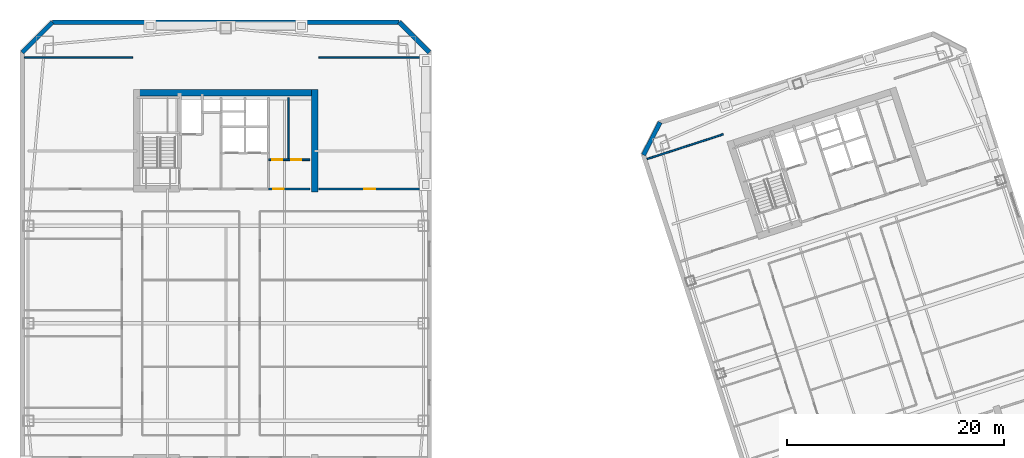
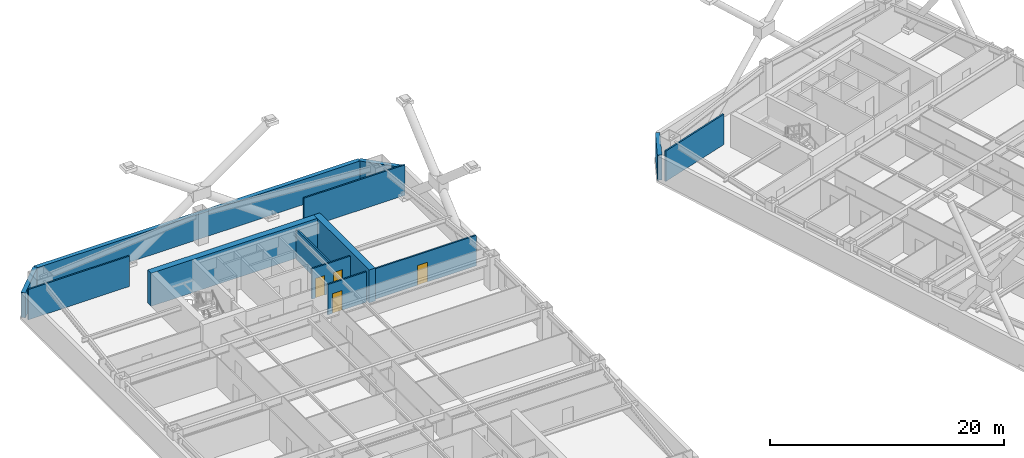
# One storey, part 8 of 14: 13 walls, 4 doors, 4 openings.
"""IFC4 building model written with IfcOpenShell, lengths in metres."""

from ifc_helpers import new_model, si_unit, direction, frame, frame_2d, origin, place, context, subcontext, project, spatial, rectangle, extrude, material, layer, layer_set, type_object, element, fill, save


model = new_model("IFC4")

# Units and contexts
model_context = context("Model", 3, precision=1e-05, world=origin(), true_north=direction((0.0, 1.0)))
body_context = subcontext(model_context, "Body", "Model", "MODEL_VIEW")
ifc_project = project(units=[si_unit("LENGTHUNIT", "METRE"), si_unit("AREAUNIT", "SQUARE_METRE"), si_unit("VOLUMEUNIT", "CUBIC_METRE"), si_unit("PLANEANGLEUNIT", "RADIAN"), si_unit("MASSUNIT", "GRAM", prefix="KILO")], contexts=[model_context])

# Site, building, storey
site_placement = place(None, origin())
site = spatial("IfcSite", under=ifc_project, at=site_placement, CompositionType="ELEMENT")
building_placement = place(site_placement, origin())
building = spatial("IfcBuilding", under=site, at=building_placement, Name="Qiaolan Cultural Towers", CompositionType="ELEMENT")
storey_placement = place(building_placement, frame((0.0, 0.0, 149.5)))
storey = spatial("IfcBuildingStorey", under=building, at=storey_placement, Name="L39", CompositionType="ELEMENT", Elevation=149.5)

# Walls
ifc_material_1 = material(Name="Concrete C55", Category="concrete")
ifc_layer_1 = layer(ifc_material_1, 0.60009765625)
ifc_layer_set_1 = layer_set([ifc_layer_1], Name="Concrete C55")
wall_type_1 = type_object("IfcWallType", Name="WL-CORE-600", PredefinedType="SHEAR", material=ifc_layer_set_1)
wall_1_placement = place(storey_placement, frame((21.5, 55.280029296875, 0.0), z_axis=(0.0, 0.0, 1.0), x_axis=(1.0, 0.0, 0.0)))
element("IfcWall", 1, at=wall_1_placement, inside=storey, type_object=wall_type_1, Name="L39 T1-CN Outer Core Shear Wall", PredefinedType="SHEAR", context=body_context, shape_type="SweptSolid", body=[
    extrude(rectangle(XDim=17.0, YDim=0.60009765625, at=frame_2d((8.5, 0.0))), origin(), (0.0, 0.0, 1.0), 3.449951171875),
])
wall_2_placement = place(storey_placement, frame((38.199951171875, 46.10009765625, 0.0), z_axis=(0.0, 0.0, 1.0), x_axis=(0.0, 1.0, 0.0)))
element("IfcWall", 2, at=wall_2_placement, inside=storey, type_object=wall_type_1, Name="L39 T1-CN East Core Shear Wall", PredefinedType="SHEAR", context=body_context, shape_type="SweptSolid", body=[
    extrude(rectangle(XDim=9.47998046875, YDim=0.60009765625, at=frame_2d((4.739990234375, 0.0))), origin(), (0.0, 0.0, 1.0), 3.449951171875),
])
ifc_material_2 = material(Name="Precast Concrete C50 Honed Stone Pier", Category="masonry")
ifc_layer_2 = layer(ifc_material_2, 0.39990234375)
ifc_layer_set_2 = layer_set([ifc_layer_2], Name="Precast Concrete C50 Honed Stone Pier")
wall_type_2 = type_object("IfcWallType", Name="WL-EXT-PIER-400", PredefinedType="SOLIDWALL", material=ifc_layer_set_2)
wall_3_placement = place(storey_placement, frame((11.199951171875, 59.0, 0.0), z_axis=(0.0, 0.0, 1.0), x_axis=(0.707106781187, 0.707106781187, 0.0)))
element("IfcWall", 3, at=wall_3_placement, inside=storey, type_object=wall_type_2, Name="L39 West Tower Precast Pier Facade Wall F2", PredefinedType="SOLIDWALL", context=body_context, shape_type="SweptSolid", body=[
    extrude(rectangle(XDim=3.9599609375, YDim=0.39990234375, at=frame_2d((1.97998046875, 0.0))), origin(), (0.0, 0.0, 1.0), 2.610107421875),
])
wall_4_placement = place(storey_placement, frame((14.0, 61.800048828125, 0.0), z_axis=(0.0, 0.0, 1.0), x_axis=(1.0, 0.0, 0.0)))
element("IfcWall", 4, at=wall_4_placement, inside=storey, type_object=wall_type_2, Name="L39 West Tower Precast Pier Facade Wall F3", PredefinedType="SOLIDWALL", context=body_context, shape_type="SweptSolid", body=[
    extrude(rectangle(XDim=32.0, YDim=0.39990234375, at=frame_2d((16.0, 0.0))), origin(), (0.0, 0.0, 1.0), 2.610107421875),
])
wall_5_placement = place(storey_placement, frame((46.0, 61.800048828125, 0.0), z_axis=(0.0, 0.0, 1.0), x_axis=(0.707106781187, -0.707106781187, 0.0)))
element("IfcWall", 5, at=wall_5_placement, inside=storey, type_object=wall_type_2, Name="L39 West Tower Precast Pier Facade Wall F4", PredefinedType="SOLIDWALL", context=body_context, shape_type="SweptSolid", body=[
    extrude(rectangle(XDim=3.9599609375, YDim=0.39990234375, at=frame_2d((1.97998046875, 0.0))), origin(), (0.0, 0.0, 1.0), 2.610107421875),
])
wall_6_placement = place(storey_placement, frame((68.550537109375, 49.531982421875, 0.0), z_axis=(0.0, 0.0, 1.0), x_axis=(0.454019523198, 0.890991735402, 0.0)))
element("IfcWall", 6, at=wall_6_placement, inside=storey, type_object=wall_type_2, Name="L39 East Tower Precast Pier Facade Wall F2", PredefinedType="SOLIDWALL", context=body_context, shape_type="SweptSolid", body=[
    extrude(rectangle(XDim=3.39404296875, YDim=0.39990234375, at=frame_2d((1.697021484375, 0.0))), origin(), (0.0, 0.0, 1.0), 2.610107421875),
])

# Wall, opening, door
ifc_material_3 = material(Name="Autoclaved Aerated Concrete Block B06", Category="concrete")
ifc_layer_3 = layer(ifc_material_3, 0.14990234375)
ifc_layer_set_3 = layer_set([ifc_layer_3], Name="Autoclaved Aerated Concrete Block B06")
wall_type_3 = type_object("IfcWallType", Name="WL-PART-150", PredefinedType="PARTITIONING", material=ifc_layer_set_3)
wall_7_placement = place(storey_placement, frame((33.949951171875, 46.39990234375, 0.0), z_axis=(0.0, 0.0, 1.0), x_axis=(1.0, 0.0, 0.0)))
wall_7 = element("IfcWall", 7, at=wall_7_placement, inside=storey, type_object=wall_type_3, Name="L39 T1-CN Sanitary Core Front Wall", PredefinedType="PARTITIONING", context=body_context, shape_type="SweptSolid", body=[
    extrude(rectangle(XDim=3.800048828125, YDim=0.14990234375, at=frame_2d((1.89990234375, 0.0))), origin(), (0.0, 0.0, 1.0), 3.175048828125),
])
opening_1_placement = place(wall_7_placement, frame((0.449951171875, 0.0, 0.0)))
opening_1 = element("IfcOpeningElement", 8, at=opening_1_placement, cuts=wall_7, Name="Opening ID-05", PredefinedType="OPENING", context=body_context, shape_type="SweptSolid", body=[
    extrude(rectangle(XDim=0.949951171875, YDim=2.050048828125, at=frame_2d((0.47509765625, 1.02490234375))), frame((0.0, 0.0849609375, 0.0), z_axis=(0.0, -1.0, 0.0), x_axis=(1.0, 0.0, 0.0)), (0.0, 0.0, 1.0), 0.169921875),
])
ifc_material_4 = material(Name="Fire-Rated Laminate Accessible Core Door", Category="timber")
door_type_1 = type_object("IfcDoorType", Name="DR-INT-950", OperationType="NOTDEFINED", PredefinedType="DOOR", material=ifc_material_4)
door_1_placement = place(opening_1_placement, origin())
door_1 = element("IfcDoor", 9, at=door_1_placement, inside=storey, type_object=door_type_1, Name="L39 Sanitary Vestibule Door", OperationType="SINGLE_SWING_LEFT", OverallHeight=2.050048828125, OverallWidth=0.949951171875, PredefinedType="DOOR", context=body_context, shape_type="SweptSolid", body=[
    extrude(rectangle(XDim=0.949951171875, YDim=2.050048828125, at=frame_2d((0.47509765625, 1.02490234375))), frame((0.0, 0.02490234375, 0.0), z_axis=(0.0, -1.0, 0.0), x_axis=(1.0, 0.0, 0.0)), (0.0, 0.0, 1.0), 0.050048828125),
])
fill(opening_1, door_1)

# Wall, openings, doors
wall_8_placement = place(storey_placement, frame((33.949951171875, 49.10009765625, 0.0), z_axis=(0.0, 0.0, 1.0), x_axis=(1.0, 0.0, 0.0)))
wall_8 = element("IfcWall", 10, at=wall_8_placement, inside=storey, type_object=wall_type_3, Name="L39 T1-CN Restroom Vestibule Wall", PredefinedType="PARTITIONING", context=body_context, shape_type="SweptSolid", body=[
    extrude(rectangle(XDim=3.800048828125, YDim=0.14990234375, at=frame_2d((1.89990234375, 0.0))), origin(), (0.0, 0.0, 1.0), 3.175048828125),
])
opening_2_placement = place(wall_8_placement, frame((0.35009765625, 0.0, 0.0)))
opening_2 = element("IfcOpeningElement", 11, at=opening_2_placement, cuts=wall_8, Name="Opening ID-06", PredefinedType="OPENING", context=body_context, shape_type="SweptSolid", body=[
    extrude(rectangle(XDim=0.89990234375, YDim=2.050048828125, at=frame_2d((0.449951171875, 1.02490234375))), frame((0.0, 0.0849609375, 0.0), z_axis=(0.0, -1.0, 0.0), x_axis=(1.0, 0.0, 0.0)), (0.0, 0.0, 1.0), 0.169921875),
])
opening_3_placement = place(wall_8_placement, frame((2.10009765625, 0.0, 0.0)))
opening_3 = element("IfcOpeningElement", 12, at=opening_3_placement, cuts=wall_8, Name="Opening ID-06", PredefinedType="OPENING", context=body_context, shape_type="SweptSolid", body=[
    extrude(rectangle(XDim=0.89990234375, YDim=2.050048828125, at=frame_2d((0.449951171875, 1.02490234375))), frame((0.0, 0.0849609375, 0.0), z_axis=(0.0, -1.0, 0.0), x_axis=(1.0, 0.0, 0.0)), (0.0, 0.0, 1.0), 0.169921875),
])
ifc_material_5 = material(Name="Fire-Rated Laminate Core Service Door", Category="timber")
door_type_2 = type_object("IfcDoorType", Name="DR-INT-900", OperationType="NOTDEFINED", PredefinedType="DOOR", material=ifc_material_5)
door_2_placement = place(opening_2_placement, origin())
door_2 = element("IfcDoor", 13, at=door_2_placement, inside=storey, type_object=door_type_2, Name="L39 Men Restroom Door", OperationType="SINGLE_SWING_LEFT", OverallHeight=2.050048828125, OverallWidth=0.89990234375, PredefinedType="DOOR", context=body_context, shape_type="SweptSolid", body=[
    extrude(rectangle(XDim=0.89990234375, YDim=2.050048828125, at=frame_2d((0.449951171875, 1.02490234375))), frame((0.0, 0.02490234375, 0.0), z_axis=(0.0, -1.0, 0.0), x_axis=(1.0, 0.0, 0.0)), (0.0, 0.0, 1.0), 0.050048828125),
])
fill(opening_2, door_2)
door_3_placement = place(opening_3_placement, origin())
door_3 = element("IfcDoor", 14, at=door_3_placement, inside=storey, type_object=door_type_2, Name="L39 Accessible & Women Restroom Door", OperationType="SINGLE_SWING_RIGHT", OverallHeight=2.050048828125, OverallWidth=0.89990234375, PredefinedType="DOOR", context=body_context, shape_type="SweptSolid", body=[
    extrude(rectangle(XDim=0.89990234375, YDim=2.050048828125, at=frame_2d((0.449951171875, 1.02490234375))), frame((0.0, 0.02490234375, 0.0), z_axis=(0.0, -1.0, 0.0), x_axis=(1.0, 0.0, 0.0)), (0.0, 0.0, 1.0), 0.050048828125),
])
fill(opening_3, door_3)

# Walls
wall_9_placement = place(storey_placement, frame((35.800048828125, 49.10009765625, 0.0), z_axis=(0.0, 0.0, 1.0), x_axis=(0.0, 1.0, 0.0)))
element("IfcWall", 15, at=wall_9_placement, inside=storey, type_object=wall_type_3, Name="L39 T1-CN Restroom Divider Wall", PredefinedType="PARTITIONING", context=body_context, shape_type="SweptSolid", body=[
    extrude(rectangle(XDim=5.72998046875, YDim=0.14990234375, at=frame_2d((2.864990234375, 0.0))), origin(), (0.0, 0.0, 1.0), 3.175048828125),
])
for number, where, z_axis, x_axis, name in (
    (16, (11.39990234375, 58.550048828125, 0.0), (0.0, 0.0, 1.0), (1.0, 0.0, 0.0), "L39 T1 Flank Wall FLK-NW"),
    (17, (38.60009765625, 58.550048828125, 0.0), (0.0, 0.0, 1.0), (1.0, 0.0, 0.0), "L39 T1 Flank Wall FLK-NE"),
):
    element("IfcWall", number, at=place(storey_placement, frame(where, z_axis=z_axis, x_axis=x_axis)), inside=storey, type_object=wall_type_3, Name=name, PredefinedType="PARTITIONING", context=body_context, shape_type="SweptSolid", body=[
        extrude(rectangle(XDim=10.0, YDim=0.14990234375, at=frame_2d((5.0, 0.0))), origin(), (0.0, 0.0, 1.0), 3.175048828125),
    ])

# Wall, opening, door
wall_10_placement = place(storey_placement, frame((38.60009765625, 46.39990234375, 0.0), z_axis=(0.0, 0.0, 1.0), x_axis=(1.0, 0.0, 0.0)))
wall_10 = element("IfcWall", 18, at=wall_10_placement, inside=storey, type_object=wall_type_3, Name="L39 T1 Flank Front FLK-NE", PredefinedType="PARTITIONING", context=body_context, shape_type="SweptSolid", body=[
    extrude(rectangle(XDim=10.0, YDim=0.14990234375, at=frame_2d((5.0, 0.0))), origin(), (0.0, 0.0, 1.0), 3.175048828125),
])
opening_4_placement = place(wall_10_placement, frame((4.199951171875, 0.0, 0.0)))
opening_4 = element("IfcOpeningElement", 19, at=opening_4_placement, cuts=wall_10, Name="Opening ID-04", PredefinedType="OPENING", context=body_context, shape_type="SweptSolid", body=[
    extrude(rectangle(XDim=1.0, YDim=2.050048828125, at=frame_2d((0.5, 1.02490234375))), frame((0.0, 0.0849609375, 0.0), z_axis=(0.0, -1.0, 0.0), x_axis=(1.0, 0.0, 0.0)), (0.0, 0.0, 1.0), 0.169921875),
])
ifc_material_6 = material(Name="Oak Veneer Acoustic Office Door", Category="timber")
door_type_3 = type_object("IfcDoorType", Name="DR-INT-1000", OperationType="NOTDEFINED", PredefinedType="DOOR", material=ifc_material_6)
door_4_placement = place(opening_4_placement, origin())
door_4 = element("IfcDoor", 20, at=door_4_placement, inside=storey, type_object=door_type_3, Name="L39 T1 Corner Studio Door", OperationType="SINGLE_SWING_LEFT", OverallHeight=2.050048828125, OverallWidth=1.0, PredefinedType="DOOR", context=body_context, shape_type="SweptSolid", body=[
    extrude(rectangle(XDim=1.0, YDim=2.050048828125, at=frame_2d((0.5, 1.02490234375))), frame((0.0, 0.02490234375, 0.0), z_axis=(0.0, -1.0, 0.0), x_axis=(1.0, 0.0, 0.0)), (0.0, 0.0, 1.0), 0.050048828125),
])
fill(opening_4, door_4)

# Wall
wall_11_placement = place(storey_placement, frame((68.8798828125, 49.165771484375, 0.0), z_axis=(0.0, 0.0, 1.0), x_axis=(0.951060977215, 0.309003264738, 0.0)))
element("IfcWall", 21, at=wall_11_placement, inside=storey, type_object=wall_type_3, Name="L39 T2 Flank Wall FLK-NW", PredefinedType="PARTITIONING", context=body_context, shape_type="SweptSolid", body=[
    extrude(rectangle(XDim=7.39990234375, YDim=0.14990234375, at=frame_2d((3.699951171875, 0.0))), origin(), (0.0, 0.0, 1.0), 3.175048828125),
])

save(model, "model.ifc")
